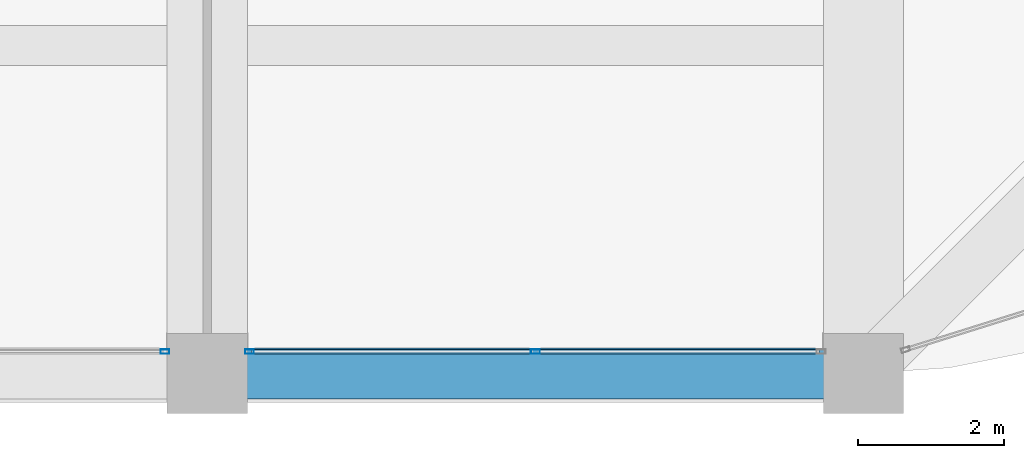
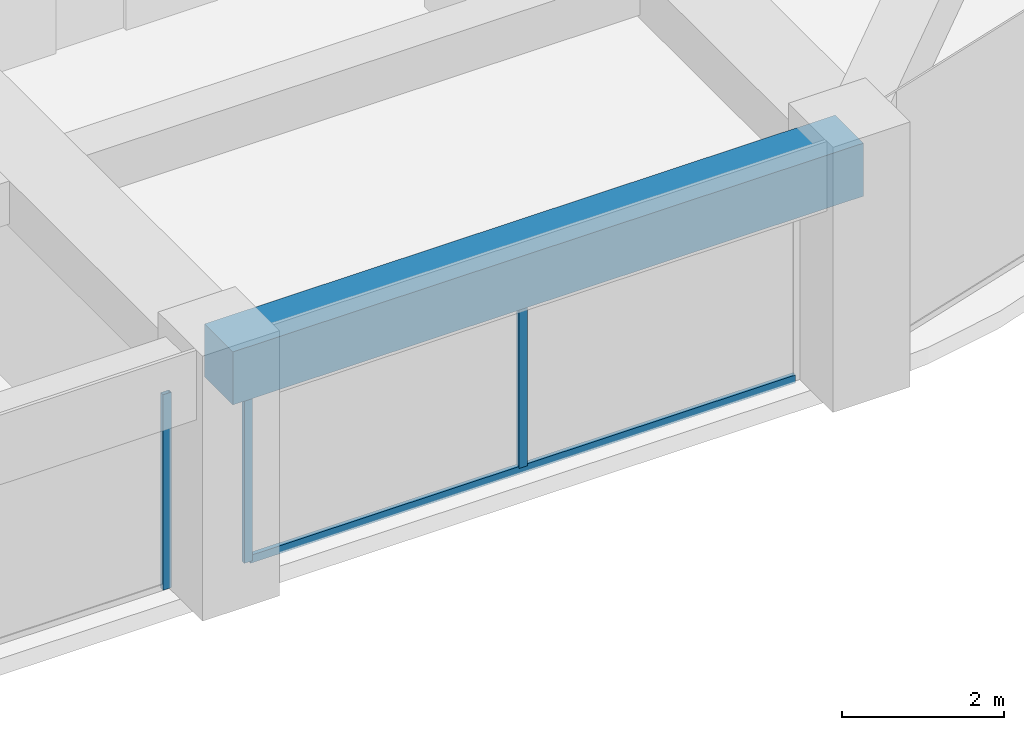
# One storey, part 11 of 44: 4 members, 1 beam, 2 elements without a shape of their own.
"""IFC4 building model written with IfcOpenShell, lengths in metres."""

from ifc_helpers import new_model, si_unit, direction, frame, origin, origin_2d, place, context, subcontext, project, spatial, rectangle, hollow_rectangle, extrude, material, material_profile, profile_set, type_object, element, aggregate, save


model = new_model("IFC4")

# Units and contexts
model_context = context("Model", 3, precision=1e-05, world=origin(), true_north=direction((0.0, 1.0)))
body_context = subcontext(model_context, "Body", "Model", "MODEL_VIEW")
ifc_project = project(units=[si_unit("LENGTHUNIT", "METRE"), si_unit("AREAUNIT", "SQUARE_METRE"), si_unit("VOLUMEUNIT", "CUBIC_METRE"), si_unit("PLANEANGLEUNIT", "RADIAN"), si_unit("MASSUNIT", "GRAM", prefix="KILO")], contexts=[model_context])

# Site, building, storey
site_placement = place(None, origin())
site = spatial("IfcSite", under=ifc_project, at=site_placement, CompositionType="ELEMENT")
building_placement = place(site_placement, origin())
building = spatial("IfcBuilding", under=site, at=building_placement, Name="Zorevar Civic Tower", CompositionType="ELEMENT")
storey_placement = place(building_placement, frame((0.0, 0.0, 263.39990234375)))
storey = spatial("IfcBuildingStorey", under=building, at=storey_placement, Name="L64", CompositionType="ELEMENT", Elevation=263.39990234375)

# Curtain wall, member
ifc_material_1 = material(Name="Dark grey solar-control glass in black aluminium frame", Category="aluminium")
curtain_wall_type = type_object("IfcCurtainWallType", Name="Curtain wall CW5 top zone", PredefinedType="NOTDEFINED", material=ifc_material_1)
curtain_wall_1_placement = place(storey_placement, origin())
curtain_wall_1 = element("IfcCurtainWall", 1, at=curtain_wall_1_placement, inside=storey, type_object=curtain_wall_type, Name="CW5 L64", PredefinedType="NOTDEFINED")
ifc_material_2 = material(Name="Aluminium, black anodised", Category="aluminium")
ifc_material_profile_1 = material_profile(ifc_material_2, hollow_rectangle(XDim=0.06005859375, YDim=0.1201171875, WallThickness=0.0029296875, at=origin_2d()), Name="AL 120x60x3")
ifc_profile_set_1 = profile_set([ifc_material_profile_1], Name="Aluminium, black anodised")
member_type_1 = type_object("IfcMemberType", Name="CW5 mullion AL 120x60x3", PredefinedType="MULLION", material=ifc_profile_set_1)
member_1_placement = place(storey_placement, frame((35.419921875, 0.300048828125, 0.0), z_axis=(0.0, 0.0, 1.0), x_axis=(0.0, 1.0, 0.0)))
member_1 = element("IfcMember", 2, at=member_1_placement, type_object=member_type_1, Name="CW5 mullion 3", PredefinedType="MULLION", context=body_context, shape_type="SweptSolid", body=[
    extrude(hollow_rectangle(XDim=0.06005859375, YDim=0.1201171875, WallThickness=0.0029296875, at=origin_2d()), origin(), (0.0, 0.0, 1.0), 2.9501953125),
])
aggregate(curtain_wall_1, [member_1])

# Curtain wall, members
curtain_wall_2_placement = place(storey_placement, origin())
curtain_wall_2 = element("IfcCurtainWall", 3, at=curtain_wall_2_placement, inside=storey, type_object=curtain_wall_type, Name="CW5 L64", PredefinedType="NOTDEFINED")
member_2_placement = place(storey_placement, frame((36.580078125, 0.300048828125, 0.0), z_axis=(0.0, 0.0, 1.0), x_axis=(0.0, 1.0, 0.0)))
member_2 = element("IfcMember", 4, at=member_2_placement, type_object=member_type_1, Name="CW5 mullion 1", PredefinedType="MULLION", context=body_context, shape_type="SweptSolid", body=[
    extrude(hollow_rectangle(XDim=0.06005859375, YDim=0.1201171875, WallThickness=0.0029296875, at=origin_2d()), origin(), (0.0, 0.0, 1.0), 2.9501953125),
])
member_3_placement = place(storey_placement, frame((40.5, 0.300048828125, 0.06005859375), z_axis=(0.0, 0.0, 1.0), x_axis=(0.0, 1.0, 0.0)))
member_3 = element("IfcMember", 5, at=member_3_placement, type_object=member_type_1, Name="CW5 mullion 2", PredefinedType="MULLION", context=body_context, shape_type="SweptSolid", body=[
    extrude(hollow_rectangle(XDim=0.06005859375, YDim=0.1201171875, WallThickness=0.0029296875, at=origin_2d()), origin(), (0.0, 0.0, 1.0), 2.89013671875),
])
ifc_material_3 = material(Name="Aluminium, black anodised", Category="aluminium")
ifc_material_profile_2 = material_profile(ifc_material_3, hollow_rectangle(XDim=0.06005859375, YDim=0.1201171875, WallThickness=0.0029296875, at=origin_2d()), Name="AL 120x60x3")
ifc_profile_set_2 = profile_set([ifc_material_profile_2], Name="Aluminium, black anodised")
member_type_2 = type_object("IfcMemberType", Name="CW5 transom AL 120x60x3", PredefinedType="USERDEFINED", material=ifc_profile_set_2)
member_4_placement = place(storey_placement, frame((36.610107421875, 0.300048828125, 0.030029296875), z_axis=(1.0, 0.0, 0.0), x_axis=(0.0, 1.0, 0.0)))
member_4 = element("IfcMember", 6, at=member_4_placement, type_object=member_type_2, Name="CW5 sill transom", ObjectType="TRANSOM", PredefinedType="USERDEFINED", context=body_context, shape_type="SweptSolid", body=[
    extrude(hollow_rectangle(XDim=0.06005859375, YDim=0.1201171875, WallThickness=0.0029296875, at=origin_2d()), origin(), (0.0, 0.0, 1.0), 7.77978515625),
])
aggregate(curtain_wall_2, [member_2, member_3, member_4])

# Beam
ifc_material_4 = material(Name="Concrete C50/60", Category="concrete")
ifc_material_profile_3 = material_profile(ifc_material_4, rectangle(XDim=0.699951171875, YDim=0.800048828125, at=origin_2d()), Name="RC 700x800")
ifc_profile_set_3 = profile_set([ifc_material_profile_3], Name="Concrete C50/60")
beam_type = type_object("IfcBeamType", Name="Edge beam RC 700x800", PredefinedType="SPANDREL", material=ifc_profile_set_3)
beam_placement = place(storey_placement, frame((36.0, 0.0, 3.35009765625), z_axis=(1.0, 0.0, 0.0), x_axis=(0.0, 1.0, 0.0)))
element("IfcBeam", 7, at=beam_placement, inside=storey, type_object=beam_type, Name="Edge beam L65", PredefinedType="SPANDREL", context=body_context, shape_type="SweptSolid", body=[
    extrude(rectangle(XDim=0.699951171875, YDim=0.800048828125, at=origin_2d()), origin(), (0.0, 0.0, 1.0), 9.0),
])

save(model, "model.ifc")
